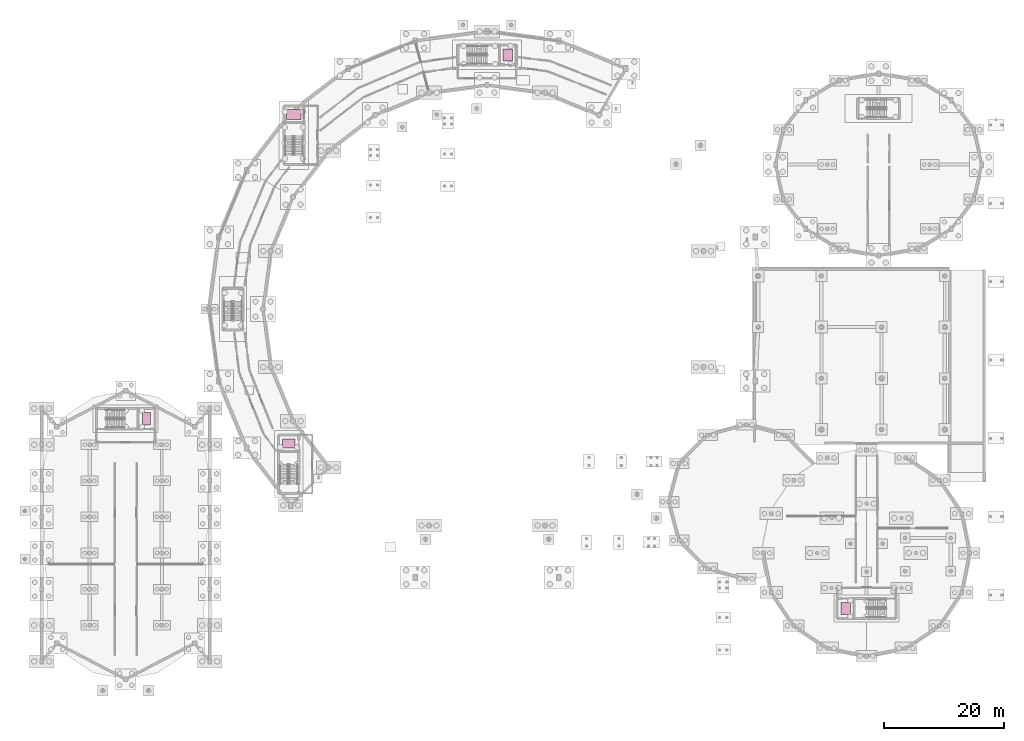
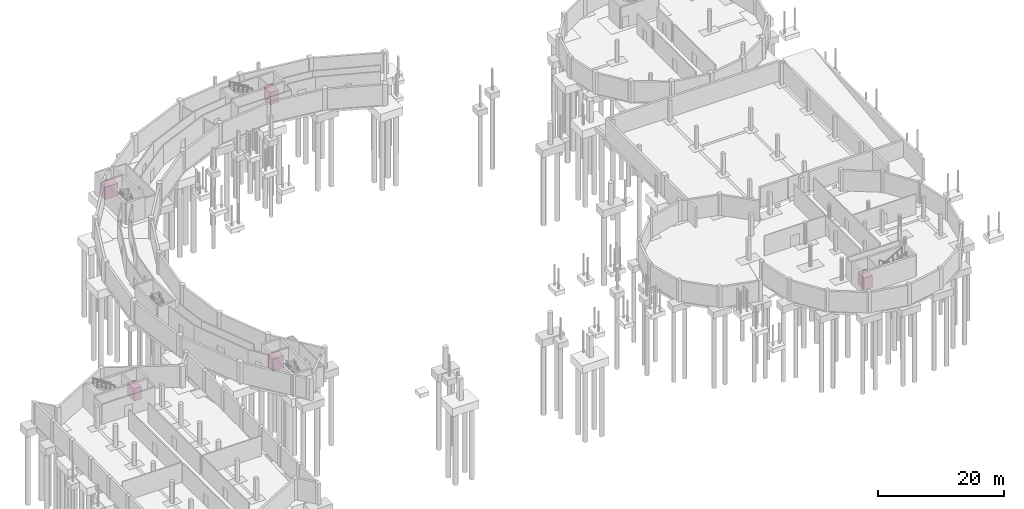
# One storey, part 43 of 43: 5 transport elements.
"""IFC4 building model written with IfcOpenShell, lengths in metres."""

from ifc_helpers import new_model, si_unit, direction, frame, origin, origin_2d, place, context, subcontext, project, spatial, rectangle, extrude, material, type_object, element, save


model = new_model("IFC4")

# Units and contexts
model_context = context("Model", 3, precision=1e-05, world=origin(), true_north=direction((0.0, 1.0)))
body_context = subcontext(model_context, "Body", "Model", "MODEL_VIEW")
ifc_project = project(units=[si_unit("LENGTHUNIT", "METRE"), si_unit("AREAUNIT", "SQUARE_METRE"), si_unit("VOLUMEUNIT", "CUBIC_METRE"), si_unit("PLANEANGLEUNIT", "RADIAN"), si_unit("MASSUNIT", "GRAM", prefix="KILO")], contexts=[model_context])

# Site, building, storey
site_placement = place(None, origin())
site = spatial("IfcSite", under=ifc_project, at=site_placement, CompositionType="ELEMENT")
building_placement = place(site_placement, origin())
building = spatial("IfcBuilding", under=site, at=building_placement, Name="Vespera Passage Community Centre", CompositionType="ELEMENT")
storey_placement = place(building_placement, frame((0.0, 0.0, -4.199951171875)))
storey = spatial("IfcBuildingStorey", under=building, at=storey_placement, Name="B1", CompositionType="ELEMENT", Elevation=-4.199951171875)

# Transport elements
ifc_material_1 = material(Name="Anodized aluminium 6063-T6", Category="aluminium")
transport_element_type_1 = type_object("IfcTransportElementType", Name="EL-HALL-1350", PredefinedType="ELEVATOR", material=ifc_material_1)
transport_element_1_placement = place(storey_placement, frame((21.445068359375, 47.300048828125, 0.0), z_axis=(0.0, 0.0, 1.0), x_axis=(1.0, 0.0, 0.0)))
element("IfcTransportElement", 1, at=transport_element_1_placement, inside=storey, type_object=transport_element_type_1, Name="Elevator EL-04 Car", PredefinedType="ELEVATOR", context=body_context, shape_type="SweptSolid", body=[
    extrude(rectangle(XDim=1.3701171875, YDim=2.030029296875, at=origin_2d()), origin(), (0.0, 0.0, 1.0), 2.39990234375),
])
ifc_material_2 = material(Name="Anodized aluminium 6063-T6", Category="aluminium")
transport_element_type_2 = type_object("IfcTransportElementType", Name="EL-PASS-1600", PredefinedType="ELEVATOR", material=ifc_material_2)
for number, where, z_axis, x_axis, name in (
    (2, (45.06103515625, 43.2099609375, 0.0), (0.0, 0.0, 1.0), (0.0, 1.0, 0.0), "Elevator EL-01 Car"),
    (3, (81.445068359375, 107.699951171875, 0.0), (0.0, 0.0, 1.0), (1.0, 0.0, 0.0), "Elevator EL-02 Car"),
    (4, (137.554931640625, 15.800048828125, 0.0), (0.0, 0.0, 1.0), (-1.0, 0.0, 0.0), "Elevator EL-05 Car"),
):
    element("IfcTransportElement", number, at=place(storey_placement, frame(where, z_axis=z_axis, x_axis=x_axis)), inside=storey, type_object=transport_element_type_2, Name=name, PredefinedType="ELEVATOR", context=body_context, shape_type="SweptSolid", body=[
        extrude(rectangle(XDim=1.52490234375, YDim=2.030029296875, at=origin_2d()), origin(), (0.0, 0.0, 1.0), 2.39990234375),
    ])
ifc_material_3 = material(Name="Anodized aluminium 6063-T6", Category="aluminium")
transport_element_type_3 = type_object("IfcTransportElementType", Name="EL-STRETCH-2000", PredefinedType="ELEVATOR", material=ifc_material_3)
transport_element_2_placement = place(storey_placement, frame((45.93310546875, 97.818115234375, 0.0), z_axis=(0.0, 0.0, 1.0), x_axis=(0.0, 1.0, 0.0)))
element("IfcTransportElement", 5, at=transport_element_2_placement, inside=storey, type_object=transport_element_type_3, Name="Elevator EL-03 Car", PredefinedType="ELEVATOR", context=body_context, shape_type="SweptSolid", body=[
    extrude(rectangle(XDim=1.60009765625, YDim=2.39990234375, at=origin_2d()), origin(), (0.0, 0.0, 1.0), 2.39990234375),
])

save(model, "model.ifc")
